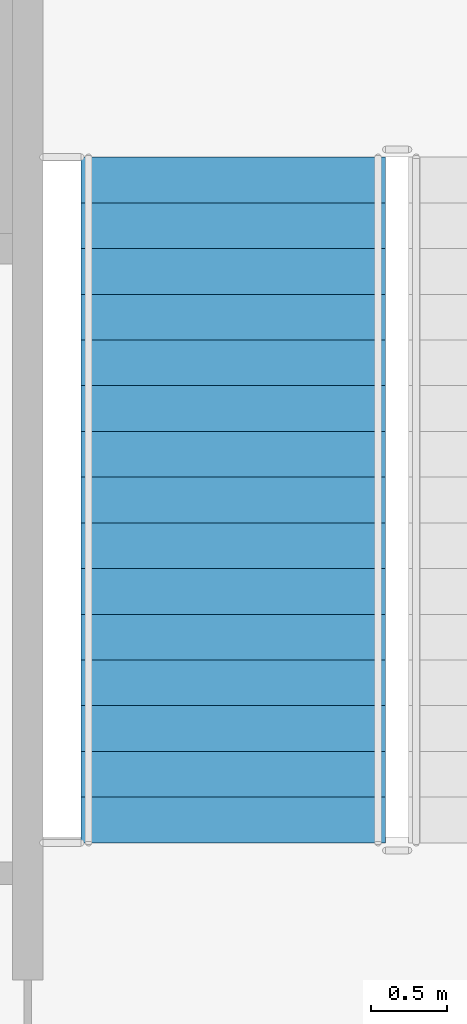
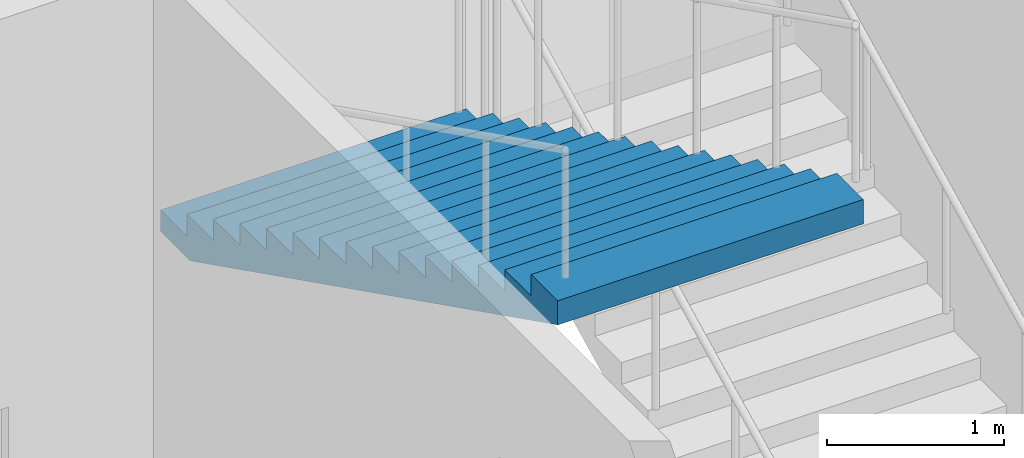
# One storey, part 56 of 86: 1 stair flight, 1 element without a shape of its own.
"""IFC4 building model written with IfcOpenShell, lengths in metres."""

from ifc_helpers import new_model, si_unit, direction, frame, origin, place, context, subcontext, project, spatial, faceted_brep, material, type_object, element, aggregate, save


model = new_model("IFC4")

# Units and contexts
model_context = context("Model", 3, precision=1e-05, world=origin(), true_north=direction((0.0, 1.0)))
body_context = subcontext(model_context, "Body", "Model", "MODEL_VIEW")
ifc_project = project(units=[si_unit("LENGTHUNIT", "METRE"), si_unit("AREAUNIT", "SQUARE_METRE"), si_unit("VOLUMEUNIT", "CUBIC_METRE"), si_unit("PLANEANGLEUNIT", "RADIAN"), si_unit("MASSUNIT", "GRAM", prefix="KILO")], contexts=[model_context])

# Site, building, storey
site_placement = place(None, origin())
site = spatial("IfcSite", under=ifc_project, at=site_placement, CompositionType="ELEMENT")
building_placement = place(site_placement, origin())
building = spatial("IfcBuilding", under=site, at=building_placement, Name="Kiln Court Media Centre", CompositionType="ELEMENT")
storey_placement = place(building_placement, frame((0.0, 0.0, 10.199951171875)))
storey = spatial("IfcBuildingStorey", under=building, at=storey_placement, Name="L02", CompositionType="ELEMENT", Elevation=10.199951171875)

# Stair, stair flight
ifc_material_1 = material(Name="Concrete C40/50", Category="concrete")
stair_type = type_object("IfcStairType", Name="Concrete C40/50 dog-leg stair 2000 wide, 150 riser", PredefinedType="HALF_TURN_STAIR", material=ifc_material_1)
stair_placement = place(storey_placement, origin())
stair = element("IfcStair", 1, at=stair_placement, inside=storey, type_object=stair_type, Name="ST-05 L02", PredefinedType="HALF_TURN_STAIR")
ifc_material_2 = material(Name="Concrete C40/50", Category="concrete")
stair_flight_type = type_object("IfcStairFlightType", Name="Concrete C40/50 stair flight 2000 wide, 150 riser, 300 going", PredefinedType="STRAIGHT", material=ifc_material_2)
stair_flight_placement = place(storey_placement, frame((55.449951171875, 22.89990234375, 2.400146484375), z_axis=(0.0, 0.0, 1.0), x_axis=(0.0, -1.0, 0.0)))
stair_flight = element("IfcStairFlight", 2, at=stair_flight_placement, type_object=stair_flight_type, Name="L02-ST-5004 flight 5009", NumberOfRisers=16, NumberOfTreads=15, PredefinedType="STRAIGHT", RiserHeight=0.15, TreadLength=0.3, context=body_context, shape_type="Brep", body=[
    faceted_brep([(0.335205078125, -1.0, 0.0), (4.5, -1.0, 2.08251953125), (4.5, -1.0, 2.25), (4.199951171875, -1.0, 2.25), (4.199951171875, -1.0, 2.10009765625), (3.89990234375, -1.0, 2.10009765625), (3.89990234375, -1.0, 1.949951171875), (3.60009765625, -1.0, 1.949951171875), (3.60009765625, -1.0, 1.800048828125), (3.300048828125, -1.0, 1.800048828125), (3.300048828125, -1.0, 1.64990234375), (3.0, -1.0, 1.64990234375), (3.0, -1.0, 1.5), (2.699951171875, -1.0, 1.5), (2.699951171875, -1.0, 1.35009765625), (2.39990234375, -1.0, 1.35009765625), (2.39990234375, -1.0, 1.199951171875), (2.10009765625, -1.0, 1.199951171875), (2.10009765625, -1.0, 1.050048828125), (1.800048828125, -1.0, 1.050048828125), (1.800048828125, -1.0, 0.89990234375), (1.5, -1.0, 0.89990234375), (1.5, -1.0, 0.75), (1.199951171875, -1.0, 0.75), (1.199951171875, -1.0, 0.60009765625), (0.89990234375, -1.0, 0.60009765625), (0.89990234375, -1.0, 0.449951171875), (0.60009765625, -1.0, 0.449951171875), (0.60009765625, -1.0, 0.300048828125), (0.300048828125, -1.0, 0.300048828125), (0.300048828125, -1.0, 0.14990234375), (0.0, -1.0, 0.14990234375), (0.0, -1.0, 0.0), (0.0, 1.0, 0.0), (0.0, 1.0, 0.14990234375), (0.300048828125, 1.0, 0.14990234375), (0.300048828125, 1.0, 0.300048828125), (0.60009765625, 1.0, 0.300048828125), (0.60009765625, 1.0, 0.449951171875), (0.89990234375, 1.0, 0.449951171875), (0.89990234375, 1.0, 0.60009765625), (1.199951171875, 1.0, 0.60009765625), (1.199951171875, 1.0, 0.75), (1.5, 1.0, 0.75), (1.5, 1.0, 0.89990234375), (1.800048828125, 1.0, 0.89990234375), (1.800048828125, 1.0, 1.050048828125), (2.10009765625, 1.0, 1.050048828125), (2.10009765625, 1.0, 1.199951171875), (2.39990234375, 1.0, 1.199951171875), (2.39990234375, 1.0, 1.35009765625), (2.699951171875, 1.0, 1.35009765625), (2.699951171875, 1.0, 1.5), (3.0, 1.0, 1.5), (3.0, 1.0, 1.64990234375), (3.300048828125, 1.0, 1.64990234375), (3.300048828125, 1.0, 1.800048828125), (3.60009765625, 1.0, 1.800048828125), (3.60009765625, 1.0, 1.949951171875), (3.89990234375, 1.0, 1.949951171875), (3.89990234375, 1.0, 2.10009765625), (4.199951171875, 1.0, 2.10009765625), (4.199951171875, 1.0, 2.25), (4.5, 1.0, 2.25), (4.5, 1.0, 2.08251953125), (0.335205078125, 1.0, 0.0), (4.5, 0.10009765625, 2.08251953125), (0.335205078125, 0.10009765625, 0.0), (4.5, 0.080078125, 2.08251953125), (0.335205078125, 0.080078125, 0.0), (4.5, 0.06005859375, 2.08251953125), (0.335205078125, 0.06005859375, 0.0), (4.5, 0.0400390625, 2.08251953125), (0.335205078125, 0.0400390625, 0.0), (4.5, 0.02001953125, 2.08251953125), (0.335205078125, 0.02001953125, 0.0), (4.5, 0.0, 2.08251953125), (0.335205078125, 0.0, 0.0), (4.5, -0.02001953125, 2.08251953125), (0.335205078125, -0.02001953125, 0.0), (4.5, -0.0400390625, 2.08251953125), (0.335205078125, -0.0400390625, 0.0), (4.5, -0.06005859375, 2.08251953125), (0.335205078125, -0.06005859375, 0.0), (4.5, -0.080078125, 2.08251953125), (0.335205078125, -0.080078125, 0.0), (4.5, -0.10009765625, 2.08251953125), (0.335205078125, -0.10009765625, 0.0), (4.5, 0.10009765625, 2.25), (4.5, 0.080078125, 2.25), (4.5, 0.06005859375, 2.25), (4.5, 0.0400390625, 2.25), (4.5, 0.02001953125, 2.25), (4.5, 0.0, 2.25), (4.5, -0.02001953125, 2.25), (4.5, -0.0400390625, 2.25), (4.5, -0.06005859375, 2.25), (4.5, -0.080078125, 2.25), (4.5, -0.10009765625, 2.25), (4.199951171875, 0.10009765625, 2.25), (4.199951171875, 0.080078125, 2.25), (4.199951171875, 0.06005859375, 2.25), (4.199951171875, 0.0400390625, 2.25), (4.199951171875, 0.02001953125, 2.25), (4.199951171875, 0.0, 2.25), (4.199951171875, -0.02001953125, 2.25), (4.199951171875, -0.0400390625, 2.25), (4.199951171875, -0.06005859375, 2.25), (4.199951171875, -0.080078125, 2.25), (4.199951171875, -0.10009765625, 2.25), (4.199951171875, 0.10009765625, 2.10009765625), (4.199951171875, 0.080078125, 2.10009765625), (4.199951171875, 0.06005859375, 2.10009765625), (4.199951171875, 0.0400390625, 2.10009765625), (4.199951171875, 0.02001953125, 2.10009765625), (4.199951171875, 0.0, 2.10009765625), (4.199951171875, -0.02001953125, 2.10009765625), (4.199951171875, -0.0400390625, 2.10009765625), (4.199951171875, -0.06005859375, 2.10009765625), (4.199951171875, -0.080078125, 2.10009765625), (4.199951171875, -0.10009765625, 2.10009765625), (3.89990234375, 0.10009765625, 2.10009765625), (3.89990234375, 0.080078125, 2.10009765625), (3.89990234375, 0.06005859375, 2.10009765625), (3.89990234375, 0.0400390625, 2.10009765625), (3.89990234375, 0.02001953125, 2.10009765625), (3.89990234375, 0.0, 2.10009765625), (3.89990234375, -0.02001953125, 2.10009765625), (3.89990234375, -0.0400390625, 2.10009765625), (3.89990234375, -0.06005859375, 2.10009765625), (3.89990234375, -0.080078125, 2.10009765625), (3.89990234375, -0.10009765625, 2.10009765625), (3.89990234375, 0.10009765625, 1.949951171875), (3.89990234375, 0.080078125, 1.949951171875), (3.89990234375, 0.06005859375, 1.949951171875), (3.89990234375, 0.0400390625, 1.949951171875), (3.89990234375, 0.02001953125, 1.949951171875), (3.89990234375, 0.0, 1.949951171875), (3.89990234375, -0.02001953125, 1.949951171875), (3.89990234375, -0.0400390625, 1.949951171875), (3.89990234375, -0.06005859375, 1.949951171875), (3.89990234375, -0.080078125, 1.949951171875), (3.89990234375, -0.10009765625, 1.949951171875), (3.60009765625, 0.10009765625, 1.949951171875), (3.60009765625, 0.080078125, 1.949951171875), (3.60009765625, 0.06005859375, 1.949951171875), (3.60009765625, 0.0400390625, 1.949951171875), (3.60009765625, 0.02001953125, 1.949951171875), (3.60009765625, 0.0, 1.949951171875), (3.60009765625, -0.02001953125, 1.949951171875), (3.60009765625, -0.0400390625, 1.949951171875), (3.60009765625, -0.06005859375, 1.949951171875), (3.60009765625, -0.080078125, 1.949951171875), (3.60009765625, -0.10009765625, 1.949951171875), (3.60009765625, 0.10009765625, 1.800048828125), (3.60009765625, 0.080078125, 1.800048828125), (3.60009765625, 0.06005859375, 1.800048828125), (3.60009765625, 0.0400390625, 1.800048828125), (3.60009765625, 0.02001953125, 1.800048828125), (3.60009765625, 0.0, 1.800048828125), (3.60009765625, -0.02001953125, 1.800048828125), (3.60009765625, -0.0400390625, 1.800048828125), (3.60009765625, -0.06005859375, 1.800048828125), (3.60009765625, -0.080078125, 1.800048828125), (3.60009765625, -0.10009765625, 1.800048828125), (3.300048828125, 0.10009765625, 1.800048828125), (3.300048828125, 0.080078125, 1.800048828125), (3.300048828125, 0.06005859375, 1.800048828125), (3.300048828125, 0.0400390625, 1.800048828125), (3.300048828125, 0.02001953125, 1.800048828125), (3.300048828125, 0.0, 1.800048828125), (3.300048828125, -0.02001953125, 1.800048828125), (3.300048828125, -0.0400390625, 1.800048828125), (3.300048828125, -0.06005859375, 1.800048828125), (3.300048828125, -0.080078125, 1.800048828125), (3.300048828125, -0.10009765625, 1.800048828125), (3.300048828125, 0.10009765625, 1.64990234375), (3.300048828125, 0.080078125, 1.64990234375), (3.300048828125, 0.06005859375, 1.64990234375), (3.300048828125, 0.0400390625, 1.64990234375), (3.300048828125, 0.02001953125, 1.64990234375), (3.300048828125, 0.0, 1.64990234375), (3.300048828125, -0.02001953125, 1.64990234375), (3.300048828125, -0.0400390625, 1.64990234375), (3.300048828125, -0.06005859375, 1.64990234375), (3.300048828125, -0.080078125, 1.64990234375), (3.300048828125, -0.10009765625, 1.64990234375), (3.0, 0.10009765625, 1.64990234375), (3.0, 0.080078125, 1.64990234375), (3.0, 0.06005859375, 1.64990234375), (3.0, 0.0400390625, 1.64990234375), (3.0, 0.02001953125, 1.64990234375), (3.0, 0.0, 1.64990234375), (3.0, -0.02001953125, 1.64990234375), (3.0, -0.0400390625, 1.64990234375), (3.0, -0.06005859375, 1.64990234375), (3.0, -0.080078125, 1.64990234375), (3.0, -0.10009765625, 1.64990234375), (3.0, 0.10009765625, 1.5), (3.0, 0.080078125, 1.5), (3.0, 0.06005859375, 1.5), (3.0, 0.0400390625, 1.5), (3.0, 0.02001953125, 1.5), (3.0, 0.0, 1.5), (3.0, -0.02001953125, 1.5), (3.0, -0.0400390625, 1.5), (3.0, -0.06005859375, 1.5), (3.0, -0.080078125, 1.5), (3.0, -0.10009765625, 1.5), (2.699951171875, 0.10009765625, 1.5), (2.699951171875, 0.080078125, 1.5), (2.699951171875, 0.06005859375, 1.5), (2.699951171875, 0.0400390625, 1.5), (2.699951171875, 0.02001953125, 1.5), (2.699951171875, 0.0, 1.5), (2.699951171875, -0.02001953125, 1.5), (2.699951171875, -0.0400390625, 1.5), (2.699951171875, -0.06005859375, 1.5), (2.699951171875, -0.080078125, 1.5), (2.699951171875, -0.10009765625, 1.5), (2.699951171875, 0.10009765625, 1.35009765625), (2.699951171875, 0.080078125, 1.35009765625), (2.699951171875, 0.06005859375, 1.35009765625), (2.699951171875, 0.0400390625, 1.35009765625), (2.699951171875, 0.02001953125, 1.35009765625), (2.699951171875, 0.0, 1.35009765625), (2.699951171875, -0.02001953125, 1.35009765625), (2.699951171875, -0.0400390625, 1.35009765625), (2.699951171875, -0.06005859375, 1.35009765625), (2.699951171875, -0.080078125, 1.35009765625), (2.699951171875, -0.10009765625, 1.35009765625), (2.39990234375, 0.10009765625, 1.35009765625), (2.39990234375, 0.080078125, 1.35009765625), (2.39990234375, 0.06005859375, 1.35009765625), (2.39990234375, 0.0400390625, 1.35009765625), (2.39990234375, 0.02001953125, 1.35009765625), (2.39990234375, 0.0, 1.35009765625), (2.39990234375, -0.02001953125, 1.35009765625), (2.39990234375, -0.0400390625, 1.35009765625), (2.39990234375, -0.06005859375, 1.35009765625), (2.39990234375, -0.080078125, 1.35009765625), (2.39990234375, -0.10009765625, 1.35009765625), (2.39990234375, 0.10009765625, 1.199951171875), (2.39990234375, 0.080078125, 1.199951171875), (2.39990234375, 0.06005859375, 1.199951171875), (2.39990234375, 0.0400390625, 1.199951171875), (2.39990234375, 0.02001953125, 1.199951171875), (2.39990234375, 0.0, 1.199951171875), (2.39990234375, -0.02001953125, 1.199951171875), (2.39990234375, -0.0400390625, 1.199951171875), (2.39990234375, -0.06005859375, 1.199951171875), (2.39990234375, -0.080078125, 1.199951171875), (2.39990234375, -0.10009765625, 1.199951171875), (2.10009765625, 0.10009765625, 1.199951171875), (2.10009765625, 0.080078125, 1.199951171875), (2.10009765625, 0.06005859375, 1.199951171875), (2.10009765625, 0.0400390625, 1.199951171875), (2.10009765625, 0.02001953125, 1.199951171875), (2.10009765625, 0.0, 1.199951171875), (2.10009765625, -0.02001953125, 1.199951171875), (2.10009765625, -0.0400390625, 1.199951171875), (2.10009765625, -0.06005859375, 1.199951171875), (2.10009765625, -0.080078125, 1.199951171875), (2.10009765625, -0.10009765625, 1.199951171875), (2.10009765625, 0.10009765625, 1.050048828125), (2.10009765625, 0.080078125, 1.050048828125), (2.10009765625, 0.06005859375, 1.050048828125), (2.10009765625, 0.0400390625, 1.050048828125), (2.10009765625, 0.02001953125, 1.050048828125), (2.10009765625, 0.0, 1.050048828125), (2.10009765625, -0.02001953125, 1.050048828125), (2.10009765625, -0.0400390625, 1.050048828125), (2.10009765625, -0.06005859375, 1.050048828125), (2.10009765625, -0.080078125, 1.050048828125), (2.10009765625, -0.10009765625, 1.050048828125), (1.800048828125, 0.10009765625, 1.050048828125), (1.800048828125, 0.080078125, 1.050048828125), (1.800048828125, 0.06005859375, 1.050048828125), (1.800048828125, 0.0400390625, 1.050048828125), (1.800048828125, 0.02001953125, 1.050048828125), (1.800048828125, 0.0, 1.050048828125), (1.800048828125, -0.02001953125, 1.050048828125), (1.800048828125, -0.0400390625, 1.050048828125), (1.800048828125, -0.06005859375, 1.050048828125), (1.800048828125, -0.080078125, 1.050048828125), (1.800048828125, -0.10009765625, 1.050048828125), (1.800048828125, 0.10009765625, 0.89990234375), (1.800048828125, 0.080078125, 0.89990234375), (1.800048828125, 0.06005859375, 0.89990234375), (1.800048828125, 0.0400390625, 0.89990234375), (1.800048828125, 0.02001953125, 0.89990234375), (1.800048828125, 0.0, 0.89990234375), (1.800048828125, -0.02001953125, 0.89990234375), (1.800048828125, -0.0400390625, 0.89990234375), (1.800048828125, -0.06005859375, 0.89990234375), (1.800048828125, -0.080078125, 0.89990234375), (1.800048828125, -0.10009765625, 0.89990234375), (1.5, 0.10009765625, 0.89990234375), (1.5, 0.080078125, 0.89990234375), (1.5, 0.06005859375, 0.89990234375), (1.5, 0.0400390625, 0.89990234375), (1.5, 0.02001953125, 0.89990234375), (1.5, 0.0, 0.89990234375), (1.5, -0.02001953125, 0.89990234375), (1.5, -0.0400390625, 0.89990234375), (1.5, -0.06005859375, 0.89990234375), (1.5, -0.080078125, 0.89990234375), (1.5, -0.10009765625, 0.89990234375), (1.5, 0.10009765625, 0.75), (1.5, 0.080078125, 0.75), (1.5, 0.06005859375, 0.75), (1.5, 0.0400390625, 0.75), (1.5, 0.02001953125, 0.75), (1.5, 0.0, 0.75), (1.5, -0.02001953125, 0.75), (1.5, -0.0400390625, 0.75), (1.5, -0.06005859375, 0.75), (1.5, -0.080078125, 0.75), (1.5, -0.10009765625, 0.75), (1.199951171875, 0.10009765625, 0.75), (1.199951171875, 0.080078125, 0.75), (1.199951171875, 0.06005859375, 0.75), (1.199951171875, 0.0400390625, 0.75), (1.199951171875, 0.02001953125, 0.75), (1.199951171875, 0.0, 0.75), (1.199951171875, -0.02001953125, 0.75), (1.199951171875, -0.0400390625, 0.75), (1.199951171875, -0.06005859375, 0.75), (1.199951171875, -0.080078125, 0.75), (1.199951171875, -0.10009765625, 0.75), (1.199951171875, 0.10009765625, 0.60009765625), (1.199951171875, 0.080078125, 0.60009765625), (1.199951171875, 0.06005859375, 0.60009765625), (1.199951171875, 0.0400390625, 0.60009765625), (1.199951171875, 0.02001953125, 0.60009765625), (1.199951171875, 0.0, 0.60009765625), (1.199951171875, -0.02001953125, 0.60009765625), (1.199951171875, -0.0400390625, 0.60009765625), (1.199951171875, -0.06005859375, 0.60009765625), (1.199951171875, -0.080078125, 0.60009765625), (1.199951171875, -0.10009765625, 0.60009765625), (0.89990234375, 0.10009765625, 0.60009765625), (0.89990234375, 0.080078125, 0.60009765625), (0.89990234375, 0.06005859375, 0.60009765625), (0.89990234375, 0.0400390625, 0.60009765625), (0.89990234375, 0.02001953125, 0.60009765625), (0.89990234375, 0.0, 0.60009765625), (0.89990234375, -0.02001953125, 0.60009765625), (0.89990234375, -0.0400390625, 0.60009765625), (0.89990234375, -0.06005859375, 0.60009765625), (0.89990234375, -0.080078125, 0.60009765625), (0.89990234375, -0.10009765625, 0.60009765625), (0.89990234375, 0.10009765625, 0.449951171875), (0.89990234375, 0.080078125, 0.449951171875), (0.89990234375, 0.06005859375, 0.449951171875), (0.89990234375, 0.0400390625, 0.449951171875), (0.89990234375, 0.02001953125, 0.449951171875), (0.89990234375, 0.0, 0.449951171875), (0.89990234375, -0.02001953125, 0.449951171875), (0.89990234375, -0.0400390625, 0.449951171875), (0.89990234375, -0.06005859375, 0.449951171875), (0.89990234375, -0.080078125, 0.449951171875), (0.89990234375, -0.10009765625, 0.449951171875), (0.60009765625, 0.10009765625, 0.449951171875), (0.60009765625, 0.080078125, 0.449951171875), (0.60009765625, 0.06005859375, 0.449951171875), (0.60009765625, 0.0400390625, 0.449951171875), (0.60009765625, 0.02001953125, 0.449951171875), (0.60009765625, 0.0, 0.449951171875), (0.60009765625, -0.02001953125, 0.449951171875), (0.60009765625, -0.0400390625, 0.449951171875), (0.60009765625, -0.06005859375, 0.449951171875), (0.60009765625, -0.080078125, 0.449951171875), (0.60009765625, -0.10009765625, 0.449951171875), (0.60009765625, 0.10009765625, 0.300048828125), (0.60009765625, 0.080078125, 0.300048828125), (0.60009765625, 0.06005859375, 0.300048828125), (0.60009765625, 0.0400390625, 0.300048828125), (0.60009765625, 0.02001953125, 0.300048828125), (0.60009765625, 0.0, 0.300048828125), (0.60009765625, -0.02001953125, 0.300048828125), (0.60009765625, -0.0400390625, 0.300048828125), (0.60009765625, -0.06005859375, 0.300048828125), (0.60009765625, -0.080078125, 0.300048828125), (0.60009765625, -0.10009765625, 0.300048828125), (0.300048828125, 0.10009765625, 0.300048828125), (0.300048828125, 0.080078125, 0.300048828125), (0.300048828125, 0.06005859375, 0.300048828125), (0.300048828125, 0.0400390625, 0.300048828125), (0.300048828125, 0.02001953125, 0.300048828125), (0.300048828125, 0.0, 0.300048828125), (0.300048828125, -0.02001953125, 0.300048828125), (0.300048828125, -0.0400390625, 0.300048828125), (0.300048828125, -0.06005859375, 0.300048828125), (0.300048828125, -0.080078125, 0.300048828125), (0.300048828125, -0.10009765625, 0.300048828125), (0.300048828125, 0.10009765625, 0.14990234375), (0.300048828125, 0.080078125, 0.14990234375), (0.300048828125, 0.06005859375, 0.14990234375), (0.300048828125, 0.0400390625, 0.14990234375), (0.300048828125, 0.02001953125, 0.14990234375), (0.300048828125, 0.0, 0.14990234375), (0.300048828125, -0.02001953125, 0.14990234375), (0.300048828125, -0.0400390625, 0.14990234375), (0.300048828125, -0.06005859375, 0.14990234375), (0.300048828125, -0.080078125, 0.14990234375), (0.300048828125, -0.10009765625, 0.14990234375), (0.0, 0.10009765625, 0.14990234375), (0.0, 0.080078125, 0.14990234375), (0.0, 0.06005859375, 0.14990234375), (0.0, 0.0400390625, 0.14990234375), (0.0, 0.02001953125, 0.14990234375), (0.0, 0.0, 0.14990234375), (0.0, -0.02001953125, 0.14990234375), (0.0, -0.0400390625, 0.14990234375), (0.0, -0.06005859375, 0.14990234375), (0.0, -0.080078125, 0.14990234375), (0.0, -0.10009765625, 0.14990234375), (0.0, 0.10009765625, 0.0), (0.0, 0.080078125, 0.0), (0.0, 0.06005859375, 0.0), (0.0, 0.0400390625, 0.0), (0.0, 0.02001953125, 0.0), (0.0, 0.0, 0.0), (0.0, -0.02001953125, 0.0), (0.0, -0.0400390625, 0.0), (0.0, -0.06005859375, 0.0), (0.0, -0.080078125, 0.0), (0.0, -0.10009765625, 0.0)], [[[0, 1, 2, 3, 4, 5, 6, 7, 8, 9, 10, 11, 12, 13, 14, 15, 16, 17, 18, 19, 20, 21, 22, 23, 24, 25, 26, 27, 28, 29, 30, 31, 32]], [[33, 34, 35, 36, 37, 38, 39, 40, 41, 42, 43, 44, 45, 46, 47, 48, 49, 50, 51, 52, 53, 54, 55, 56, 57, 58, 59, 60, 61, 62, 63, 64, 65]], [[65, 64, 66, 67]], [[67, 66, 68, 69]], [[69, 68, 70, 71]], [[71, 70, 72, 73]], [[73, 72, 74, 75]], [[75, 74, 76, 77]], [[77, 76, 78, 79]], [[79, 78, 80, 81]], [[81, 80, 82, 83]], [[83, 82, 84, 85]], [[85, 84, 86, 87]], [[87, 86, 1, 0]], [[64, 63, 88, 66]], [[66, 88, 89, 68]], [[68, 89, 90, 70]], [[70, 90, 91, 72]], [[72, 91, 92, 74]], [[74, 92, 93, 76]], [[76, 93, 94, 78]], [[78, 94, 95, 80]], [[80, 95, 96, 82]], [[82, 96, 97, 84]], [[84, 97, 98, 86]], [[86, 98, 2, 1]], [[63, 62, 99, 88]], [[88, 99, 100, 89]], [[89, 100, 101, 90]], [[90, 101, 102, 91]], [[91, 102, 103, 92]], [[92, 103, 104, 93]], [[93, 104, 105, 94]], [[94, 105, 106, 95]], [[95, 106, 107, 96]], [[96, 107, 108, 97]], [[97, 108, 109, 98]], [[98, 109, 3, 2]], [[62, 61, 110, 99]], [[99, 110, 111, 100]], [[100, 111, 112, 101]], [[101, 112, 113, 102]], [[102, 113, 114, 103]], [[103, 114, 115, 104]], [[104, 115, 116, 105]], [[105, 116, 117, 106]], [[106, 117, 118, 107]], [[107, 118, 119, 108]], [[108, 119, 120, 109]], [[109, 120, 4, 3]], [[61, 60, 121, 110]], [[110, 121, 122, 111]], [[111, 122, 123, 112]], [[112, 123, 124, 113]], [[113, 124, 125, 114]], [[114, 125, 126, 115]], [[115, 126, 127, 116]], [[116, 127, 128, 117]], [[117, 128, 129, 118]], [[118, 129, 130, 119]], [[119, 130, 131, 120]], [[120, 131, 5, 4]], [[60, 59, 132, 121]], [[121, 132, 133, 122]], [[122, 133, 134, 123]], [[123, 134, 135, 124]], [[124, 135, 136, 125]], [[125, 136, 137, 126]], [[126, 137, 138, 127]], [[127, 138, 139, 128]], [[128, 139, 140, 129]], [[129, 140, 141, 130]], [[130, 141, 142, 131]], [[131, 142, 6, 5]], [[59, 58, 143, 132]], [[132, 143, 144, 133]], [[133, 144, 145, 134]], [[134, 145, 146, 135]], [[135, 146, 147, 136]], [[136, 147, 148, 137]], [[137, 148, 149, 138]], [[138, 149, 150, 139]], [[139, 150, 151, 140]], [[140, 151, 152, 141]], [[141, 152, 153, 142]], [[142, 153, 7, 6]], [[58, 57, 154, 143]], [[143, 154, 155, 144]], [[144, 155, 156, 145]], [[145, 156, 157, 146]], [[146, 157, 158, 147]], [[147, 158, 159, 148]], [[148, 159, 160, 149]], [[149, 160, 161, 150]], [[150, 161, 162, 151]], [[151, 162, 163, 152]], [[152, 163, 164, 153]], [[153, 164, 8, 7]], [[57, 56, 165, 154]], [[154, 165, 166, 155]], [[155, 166, 167, 156]], [[156, 167, 168, 157]], [[157, 168, 169, 158]], [[158, 169, 170, 159]], [[159, 170, 171, 160]], [[160, 171, 172, 161]], [[161, 172, 173, 162]], [[162, 173, 174, 163]], [[163, 174, 175, 164]], [[164, 175, 9, 8]], [[56, 55, 176, 165]], [[165, 176, 177, 166]], [[166, 177, 178, 167]], [[167, 178, 179, 168]], [[168, 179, 180, 169]], [[169, 180, 181, 170]], [[170, 181, 182, 171]], [[171, 182, 183, 172]], [[172, 183, 184, 173]], [[173, 184, 185, 174]], [[174, 185, 186, 175]], [[175, 186, 10, 9]], [[55, 54, 187, 176]], [[176, 187, 188, 177]], [[177, 188, 189, 178]], [[178, 189, 190, 179]], [[179, 190, 191, 180]], [[180, 191, 192, 181]], [[181, 192, 193, 182]], [[182, 193, 194, 183]], [[183, 194, 195, 184]], [[184, 195, 196, 185]], [[185, 196, 197, 186]], [[186, 197, 11, 10]], [[54, 53, 198, 187]], [[187, 198, 199, 188]], [[188, 199, 200, 189]], [[189, 200, 201, 190]], [[190, 201, 202, 191]], [[191, 202, 203, 192]], [[192, 203, 204, 193]], [[193, 204, 205, 194]], [[194, 205, 206, 195]], [[195, 206, 207, 196]], [[196, 207, 208, 197]], [[197, 208, 12, 11]], [[53, 52, 209, 198]], [[198, 209, 210, 199]], [[199, 210, 211, 200]], [[200, 211, 212, 201]], [[201, 212, 213, 202]], [[202, 213, 214, 203]], [[203, 214, 215, 204]], [[204, 215, 216, 205]], [[205, 216, 217, 206]], [[206, 217, 218, 207]], [[207, 218, 219, 208]], [[208, 219, 13, 12]], [[52, 51, 220, 209]], [[209, 220, 221, 210]], [[210, 221, 222, 211]], [[211, 222, 223, 212]], [[212, 223, 224, 213]], [[213, 224, 225, 214]], [[214, 225, 226, 215]], [[215, 226, 227, 216]], [[216, 227, 228, 217]], [[217, 228, 229, 218]], [[218, 229, 230, 219]], [[219, 230, 14, 13]], [[51, 50, 231, 220]], [[220, 231, 232, 221]], [[221, 232, 233, 222]], [[222, 233, 234, 223]], [[223, 234, 235, 224]], [[224, 235, 236, 225]], [[225, 236, 237, 226]], [[226, 237, 238, 227]], [[227, 238, 239, 228]], [[228, 239, 240, 229]], [[229, 240, 241, 230]], [[230, 241, 15, 14]], [[50, 49, 242, 231]], [[231, 242, 243, 232]], [[232, 243, 244, 233]], [[233, 244, 245, 234]], [[234, 245, 246, 235]], [[235, 246, 247, 236]], [[236, 247, 248, 237]], [[237, 248, 249, 238]], [[238, 249, 250, 239]], [[239, 250, 251, 240]], [[240, 251, 252, 241]], [[241, 252, 16, 15]], [[49, 48, 253, 242]], [[242, 253, 254, 243]], [[243, 254, 255, 244]], [[244, 255, 256, 245]], [[245, 256, 257, 246]], [[246, 257, 258, 247]], [[247, 258, 259, 248]], [[248, 259, 260, 249]], [[249, 260, 261, 250]], [[250, 261, 262, 251]], [[251, 262, 263, 252]], [[252, 263, 17, 16]], [[48, 47, 264, 253]], [[253, 264, 265, 254]], [[254, 265, 266, 255]], [[255, 266, 267, 256]], [[256, 267, 268, 257]], [[257, 268, 269, 258]], [[258, 269, 270, 259]], [[259, 270, 271, 260]], [[260, 271, 272, 261]], [[261, 272, 273, 262]], [[262, 273, 274, 263]], [[263, 274, 18, 17]], [[47, 46, 275, 264]], [[264, 275, 276, 265]], [[265, 276, 277, 266]], [[266, 277, 278, 267]], [[267, 278, 279, 268]], [[268, 279, 280, 269]], [[269, 280, 281, 270]], [[270, 281, 282, 271]], [[271, 282, 283, 272]], [[272, 283, 284, 273]], [[273, 284, 285, 274]], [[274, 285, 19, 18]], [[46, 45, 286, 275]], [[275, 286, 287, 276]], [[276, 287, 288, 277]], [[277, 288, 289, 278]], [[278, 289, 290, 279]], [[279, 290, 291, 280]], [[280, 291, 292, 281]], [[281, 292, 293, 282]], [[282, 293, 294, 283]], [[283, 294, 295, 284]], [[284, 295, 296, 285]], [[285, 296, 20, 19]], [[45, 44, 297, 286]], [[286, 297, 298, 287]], [[287, 298, 299, 288]], [[288, 299, 300, 289]], [[289, 300, 301, 290]], [[290, 301, 302, 291]], [[291, 302, 303, 292]], [[292, 303, 304, 293]], [[293, 304, 305, 294]], [[294, 305, 306, 295]], [[295, 306, 307, 296]], [[296, 307, 21, 20]], [[44, 43, 308, 297]], [[297, 308, 309, 298]], [[298, 309, 310, 299]], [[299, 310, 311, 300]], [[300, 311, 312, 301]], [[301, 312, 313, 302]], [[302, 313, 314, 303]], [[303, 314, 315, 304]], [[304, 315, 316, 305]], [[305, 316, 317, 306]], [[306, 317, 318, 307]], [[307, 318, 22, 21]], [[43, 42, 319, 308]], [[308, 319, 320, 309]], [[309, 320, 321, 310]], [[310, 321, 322, 311]], [[311, 322, 323, 312]], [[312, 323, 324, 313]], [[313, 324, 325, 314]], [[314, 325, 326, 315]], [[315, 326, 327, 316]], [[316, 327, 328, 317]], [[317, 328, 329, 318]], [[318, 329, 23, 22]], [[42, 41, 330, 319]], [[319, 330, 331, 320]], [[320, 331, 332, 321]], [[321, 332, 333, 322]], [[322, 333, 334, 323]], [[323, 334, 335, 324]], [[324, 335, 336, 325]], [[325, 336, 337, 326]], [[326, 337, 338, 327]], [[327, 338, 339, 328]], [[328, 339, 340, 329]], [[329, 340, 24, 23]], [[41, 40, 341, 330]], [[330, 341, 342, 331]], [[331, 342, 343, 332]], [[332, 343, 344, 333]], [[333, 344, 345, 334]], [[334, 345, 346, 335]], [[335, 346, 347, 336]], [[336, 347, 348, 337]], [[337, 348, 349, 338]], [[338, 349, 350, 339]], [[339, 350, 351, 340]], [[340, 351, 25, 24]], [[40, 39, 352, 341]], [[341, 352, 353, 342]], [[342, 353, 354, 343]], [[343, 354, 355, 344]], [[344, 355, 356, 345]], [[345, 356, 357, 346]], [[346, 357, 358, 347]], [[347, 358, 359, 348]], [[348, 359, 360, 349]], [[349, 360, 361, 350]], [[350, 361, 362, 351]], [[351, 362, 26, 25]], [[39, 38, 363, 352]], [[352, 363, 364, 353]], [[353, 364, 365, 354]], [[354, 365, 366, 355]], [[355, 366, 367, 356]], [[356, 367, 368, 357]], [[357, 368, 369, 358]], [[358, 369, 370, 359]], [[359, 370, 371, 360]], [[360, 371, 372, 361]], [[361, 372, 373, 362]], [[362, 373, 27, 26]], [[38, 37, 374, 363]], [[363, 374, 375, 364]], [[364, 375, 376, 365]], [[365, 376, 377, 366]], [[366, 377, 378, 367]], [[367, 378, 379, 368]], [[368, 379, 380, 369]], [[369, 380, 381, 370]], [[370, 381, 382, 371]], [[371, 382, 383, 372]], [[372, 383, 384, 373]], [[373, 384, 28, 27]], [[37, 36, 385, 374]], [[374, 385, 386, 375]], [[375, 386, 387, 376]], [[376, 387, 388, 377]], [[377, 388, 389, 378]], [[378, 389, 390, 379]], [[379, 390, 391, 380]], [[380, 391, 392, 381]], [[381, 392, 393, 382]], [[382, 393, 394, 383]], [[383, 394, 395, 384]], [[384, 395, 29, 28]], [[36, 35, 396, 385]], [[385, 396, 397, 386]], [[386, 397, 398, 387]], [[387, 398, 399, 388]], [[388, 399, 400, 389]], [[389, 400, 401, 390]], [[390, 401, 402, 391]], [[391, 402, 403, 392]], [[392, 403, 404, 393]], [[393, 404, 405, 394]], [[394, 405, 406, 395]], [[395, 406, 30, 29]], [[35, 34, 407, 396]], [[396, 407, 408, 397]], [[397, 408, 409, 398]], [[398, 409, 410, 399]], [[399, 410, 411, 400]], [[400, 411, 412, 401]], [[401, 412, 413, 402]], [[402, 413, 414, 403]], [[403, 414, 415, 404]], [[404, 415, 416, 405]], [[405, 416, 417, 406]], [[406, 417, 31, 30]], [[34, 33, 418, 407]], [[407, 418, 419, 408]], [[408, 419, 420, 409]], [[409, 420, 421, 410]], [[410, 421, 422, 411]], [[411, 422, 423, 412]], [[412, 423, 424, 413]], [[413, 424, 425, 414]], [[414, 425, 426, 415]], [[415, 426, 427, 416]], [[416, 427, 428, 417]], [[417, 428, 32, 31]], [[33, 65, 67, 418]], [[418, 67, 69, 419]], [[419, 69, 71, 420]], [[420, 71, 73, 421]], [[421, 73, 75, 422]], [[422, 75, 77, 423]], [[423, 77, 79, 424]], [[424, 79, 81, 425]], [[425, 81, 83, 426]], [[426, 83, 85, 427]], [[427, 85, 87, 428]], [[428, 87, 0, 32]]]),
])
aggregate(stair, [stair_flight])

save(model, "model.ifc")
